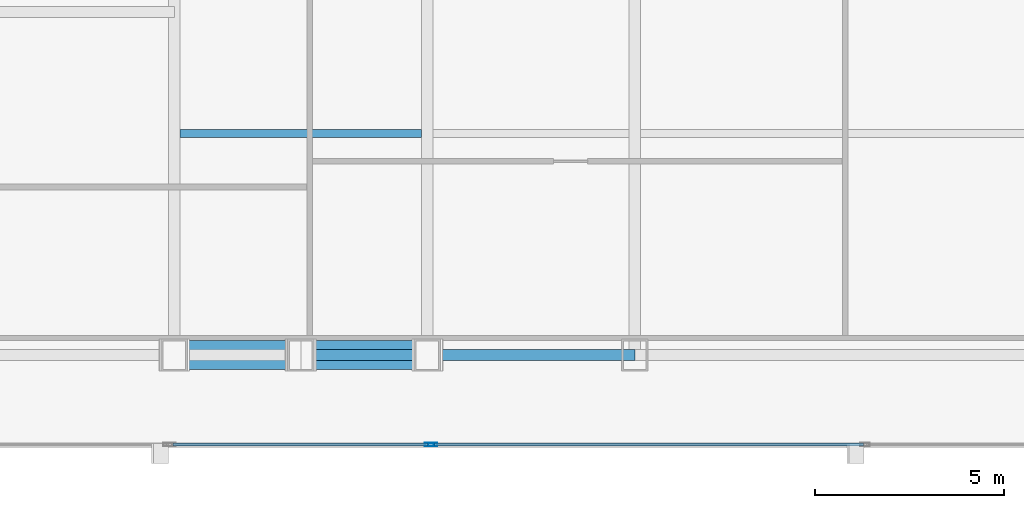
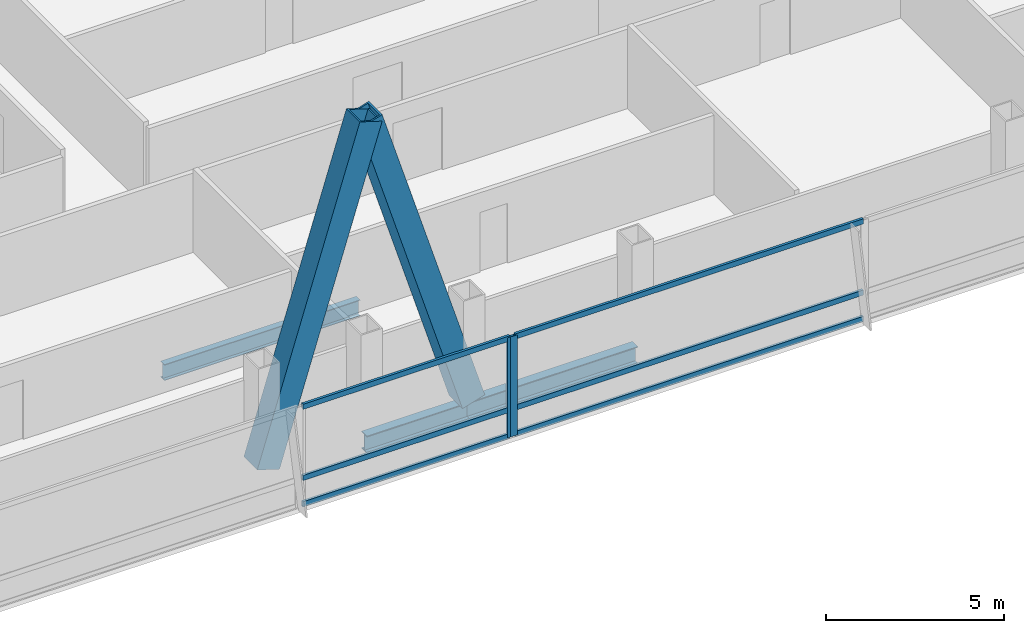
# One storey, part 8 of 33: 10 members, 3 beams, 2 elements without a shape of their own.
"""IFC4 building model written with IfcOpenShell, lengths in metres."""

from ifc_helpers import new_model, si_unit, direction, frame, origin, origin_2d, place, context, subcontext, project, spatial, hollow_rectangle, i_section, extrude, material, material_profile, profile_set, type_object, element, aggregate, save


model = new_model("IFC4")

# Units and contexts
model_context = context("Model", 3, precision=1e-05, world=origin(), true_north=direction((0.0, 1.0)))
body_context = subcontext(model_context, "Body", "Model", "MODEL_VIEW")
ifc_project = project(units=[si_unit("LENGTHUNIT", "METRE"), si_unit("AREAUNIT", "SQUARE_METRE"), si_unit("VOLUMEUNIT", "CUBIC_METRE"), si_unit("PLANEANGLEUNIT", "RADIAN"), si_unit("MASSUNIT", "GRAM", prefix="KILO")], contexts=[model_context])

# Site, building, storey
site_placement = place(None, origin())
site = spatial("IfcSite", under=ifc_project, at=site_placement, CompositionType="ELEMENT")
building_placement = place(site_placement, origin())
building = spatial("IfcBuilding", under=site, at=building_placement, Name="Khoronbel Lancet Exchange", CompositionType="ELEMENT")
storey_placement = place(building_placement, frame((0.0, 0.0, 118.199951171875)))
storey = spatial("IfcBuildingStorey", under=building, at=storey_placement, Name="L28", CompositionType="ELEMENT", Elevation=118.199951171875)

# Beams
ifc_material_1 = material(Name="Steel S355", Category="steel")
ifc_material_profile_1 = material_profile(ifc_material_1, i_section(OverallWidth=0.2099609375, OverallDepth=0.550048828125, WebThickness=0.010986328125, FlangeThickness=0.01708984375, at=origin_2d()), Name="IPE 550")
ifc_profile_set_1 = profile_set([ifc_material_profile_1], Name="Steel S355")
beam_type_1 = type_object("IfcBeamType", Name="BM-BJ2", PredefinedType="JOIST", material=ifc_profile_set_1)
beam_1_placement = place(storey_placement, frame((18.375, 16.0, -0.43505859375), z_axis=(1.0, 0.0, 0.0), x_axis=(0.0, 1.0, 0.0)))
element("IfcBeam", 1, at=beam_1_placement, inside=storey, type_object=beam_type_1, Name="Level L28 secondary composite joist J01", PredefinedType="JOIST", context=body_context, shape_type="SweptSolid", body=[
    extrude(i_section(OverallWidth=0.2099609375, OverallDepth=0.550048828125, WebThickness=0.010986328125, FlangeThickness=0.01708984375, at=origin_2d()), origin(), (0.0, 0.0, 1.0), 6.375),
])
ifc_material_profile_2 = material_profile(ifc_material_1, i_section(OverallWidth=0.300048828125, OverallDepth=0.60009765625, WebThickness=0.015380859375, FlangeThickness=0.030029296875, at=origin_2d()), Name="HEB 600")
ifc_profile_set_2 = profile_set([ifc_material_profile_2], Name="Steel S355")
beam_type_2 = type_object("IfcBeamType", Name="BM-BSP2", PredefinedType="SPANDREL", material=ifc_profile_set_2)
beam_2_placement = place(storey_placement, frame((21.5625, 10.14990234375, -0.4599609375), z_axis=(1.0, 0.0, 0.0), x_axis=(0.0, 1.0, 0.0)))
element("IfcBeam", 2, at=beam_2_placement, inside=storey, type_object=beam_type_2, Name="Level L28 perimeter spandrel beam SP03", PredefinedType="SPANDREL", context=body_context, shape_type="SweptSolid", body=[
    extrude(i_section(OverallWidth=0.300048828125, OverallDepth=0.60009765625, WebThickness=0.015380859375, FlangeThickness=0.030029296875, at=origin_2d()), origin(), (0.0, 0.0, 1.0), 3.33740234375),
])
beam_3_placement = place(storey_placement, frame((24.89990234375, 10.14990234375, -0.4599609375), z_axis=(1.0, 0.0, 0.0), x_axis=(0.0, 1.0, 0.0)))
element("IfcBeam", 3, at=beam_3_placement, inside=storey, type_object=beam_type_2, Name="Level L28 perimeter spandrel beam SP04", PredefinedType="SPANDREL", context=body_context, shape_type="SweptSolid", body=[
    extrude(i_section(OverallWidth=0.300048828125, OverallDepth=0.60009765625, WebThickness=0.015380859375, FlangeThickness=0.030029296875, at=origin_2d()), origin(), (0.0, 0.0, 1.0), 5.47509765625),
])

# Curtain wall, member
ifc_material_2 = material(Name="Low-E Solar Control Insulating Glass", Category="glass")
curtain_wall_type = type_object("IfcCurtainWallType", Name="CW-2", PredefinedType="NOTDEFINED", material=ifc_material_2)
curtain_wall_1_placement = place(storey_placement, origin())
curtain_wall_1 = element("IfcCurtainWall", 4, at=curtain_wall_1_placement, inside=storey, type_object=curtain_wall_type, Name="Unitised curtain wall CW-L28-SWB", PredefinedType="NOTDEFINED")
ifc_material_3 = material(Name="Bronze-Anodised Aluminium 6063-T6", Category="aluminium")
ifc_material_profile_3 = material_profile(ifc_material_3, hollow_rectangle(XDim=0.0849609375, YDim=0.239990234375, WallThickness=0.006103515625, at=origin_2d()), Name="ALU MULLION 85x240")
ifc_profile_set_3 = profile_set([ifc_material_profile_3], Name="Bronze-Anodised Aluminium 6063-T6")
member_type_1 = type_object("IfcMemberType", Name="MEM-CWM1", PredefinedType="MULLION", material=ifc_profile_set_3)
member_1_placement = place(storey_placement, frame((24.95751953125, 7.7900390625, 0.0), z_axis=(0.0, 0.0, 1.0), x_axis=(0.0, 1.0, 0.0)))
member_1 = element("IfcMember", 5, at=member_1_placement, type_object=member_type_1, Name="CW2 mullion 2", PredefinedType="MULLION", context=body_context, shape_type="SweptSolid", body=[
    extrude(hollow_rectangle(XDim=0.0849609375, YDim=0.239990234375, WallThickness=0.006103515625, at=origin_2d()), origin(), (0.0, 0.0, 1.0), 3.43994140625),
])

curtain_wall_2_placement = place(storey_placement, origin())
curtain_wall_2 = element("IfcCurtainWall", 6, at=curtain_wall_2_placement, inside=storey, type_object=curtain_wall_type, Name="Unitised curtain wall CW-L28-SCV", PredefinedType="NOTDEFINED")
member_2_placement = place(storey_placement, frame((25.04248046875, 7.7900390625, 0.0), z_axis=(0.0, 0.0, 1.0), x_axis=(0.0, 1.0, 0.0)))
member_2 = element("IfcMember", 7, at=member_2_placement, type_object=member_type_1, Name="CW2 mullion 1", PredefinedType="MULLION", context=body_context, shape_type="SweptSolid", body=[
    extrude(hollow_rectangle(XDim=0.0849609375, YDim=0.239990234375, WallThickness=0.006103515625, at=origin_2d()), origin(), (0.0, 0.0, 1.0), 3.43994140625),
])

# Member
ifc_material_profile_4 = material_profile(ifc_material_3, hollow_rectangle(XDim=0.0849609375, YDim=0.179931640625, WallThickness=0.0048828125, at=origin_2d()), Name="ALU TRANSOM 85x180")
ifc_profile_set_4 = profile_set([ifc_material_profile_4], Name="Bronze-Anodised Aluminium 6063-T6")
member_type_2 = type_object("IfcMemberType", Name="MEM-CWT1", PredefinedType="USERDEFINED", material=ifc_profile_set_4)
member_3_placement = place(storey_placement, frame((18.18505859375, 7.7900390625, 0.04248046875), z_axis=(1.0, 0.0, 0.0), x_axis=(0.0, 1.0, 0.0)))
member_3 = element("IfcMember", 8, at=member_3_placement, type_object=member_type_2, Name="CW2 transom 1.1", ObjectType="TRANSOM", PredefinedType="USERDEFINED", context=body_context, shape_type="SweptSolid", body=[
    extrude(hollow_rectangle(XDim=0.0849609375, YDim=0.179931640625, WallThickness=0.0048828125, at=origin_2d()), origin(), (0.0, 0.0, 1.0), 6.72998046875),
])

member_4_placement = place(storey_placement, frame((18.18505859375, 7.7900390625, 0.949951171875), z_axis=(1.0, 0.0, 0.0), x_axis=(0.0, 1.0, 0.0)))
member_4 = element("IfcMember", 9, at=member_4_placement, type_object=member_type_2, Name="CW2 transom 1.2", ObjectType="TRANSOM", PredefinedType="USERDEFINED", context=body_context, shape_type="SweptSolid", body=[
    extrude(hollow_rectangle(XDim=0.0849609375, YDim=0.179931640625, WallThickness=0.0048828125, at=origin_2d()), origin(), (0.0, 0.0, 1.0), 6.72998046875),
])

member_5_placement = place(storey_placement, frame((18.18505859375, 7.7900390625, 3.3974609375), z_axis=(1.0, 0.0, 0.0), x_axis=(0.0, 1.0, 0.0)))
member_5 = element("IfcMember", 10, at=member_5_placement, type_object=member_type_2, Name="CW2 transom 1.3", ObjectType="TRANSOM", PredefinedType="USERDEFINED", context=body_context, shape_type="SweptSolid", body=[
    extrude(hollow_rectangle(XDim=0.0849609375, YDim=0.179931640625, WallThickness=0.0048828125, at=origin_2d()), origin(), (0.0, 0.0, 1.0), 6.72998046875),
])

aggregate(curtain_wall_1, [member_1, member_3, member_4, member_5])

member_6_placement = place(storey_placement, frame((25.0849609375, 7.7900390625, 0.04248046875), z_axis=(1.0, 0.0, 0.0), x_axis=(0.0, 1.0, 0.0)))
member_6 = element("IfcMember", 11, at=member_6_placement, type_object=member_type_2, Name="CW2 transom 1.1", ObjectType="TRANSOM", PredefinedType="USERDEFINED", context=body_context, shape_type="SweptSolid", body=[
    extrude(hollow_rectangle(XDim=0.0849609375, YDim=0.179931640625, WallThickness=0.0048828125, at=origin_2d()), origin(), (0.0, 0.0, 1.0), 11.322509765625),
])

member_7_placement = place(storey_placement, frame((25.0849609375, 7.7900390625, 0.949951171875), z_axis=(1.0, 0.0, 0.0), x_axis=(0.0, 1.0, 0.0)))
member_7 = element("IfcMember", 12, at=member_7_placement, type_object=member_type_2, Name="CW2 transom 1.2", ObjectType="TRANSOM", PredefinedType="USERDEFINED", context=body_context, shape_type="SweptSolid", body=[
    extrude(hollow_rectangle(XDim=0.0849609375, YDim=0.179931640625, WallThickness=0.0048828125, at=origin_2d()), origin(), (0.0, 0.0, 1.0), 11.322509765625),
])

member_8_placement = place(storey_placement, frame((25.0849609375, 7.7900390625, 3.3974609375), z_axis=(1.0, 0.0, 0.0), x_axis=(0.0, 1.0, 0.0)))
member_8 = element("IfcMember", 13, at=member_8_placement, type_object=member_type_2, Name="CW2 transom 1.3", ObjectType="TRANSOM", PredefinedType="USERDEFINED", context=body_context, shape_type="SweptSolid", body=[
    extrude(hollow_rectangle(XDim=0.0849609375, YDim=0.179931640625, WallThickness=0.0048828125, at=origin_2d()), origin(), (0.0, 0.0, 1.0), 11.322509765625),
])

aggregate(curtain_wall_2, [member_2, member_6, member_7, member_8])

# Members
ifc_material_4 = material(Name="Steel S460", Category="steel")
ifc_material_profile_5 = material_profile(ifc_material_4, hollow_rectangle(XDim=0.760009765625, YDim=0.760009765625, WallThickness=0.054931640625, at=origin_2d()), Name="BOX 760x760x55")
ifc_profile_set_5 = profile_set([ifc_material_profile_5], Name="Steel S460")
member_type_3 = type_object("IfcMemberType", Name="MEM-MB1", PredefinedType="BRACE", material=ifc_profile_set_5)
for number, where, z_axis, x_axis, name in (
    (14, (18.22509765625, 10.14990234375, 0.0), (0.295242108906, 0.0, 0.955422470496), (0.0, 1.0, 0.0), "Perimeter lancet brace tier 9 S-W-L"),
    (15, (24.89990234375, 10.14990234375, 0.0), (-0.295242108906, 0.0, 0.955422470496), (0.0, -1.0, 0.0), "Perimeter lancet brace tier 9 S-W-R"),
):
    element("IfcMember", number, at=place(storey_placement, frame(where, z_axis=z_axis, x_axis=x_axis)), inside=storey, type_object=member_type_3, Name=name, PredefinedType="BRACE", context=body_context, shape_type="SweptSolid", body=[
        extrude(hollow_rectangle(XDim=0.760009765625, YDim=0.760009765625, WallThickness=0.054931640625, at=origin_2d()), origin(), (0.0, 0.0, 1.0), 11.303955078125),
    ])

save(model, "model.ifc")
